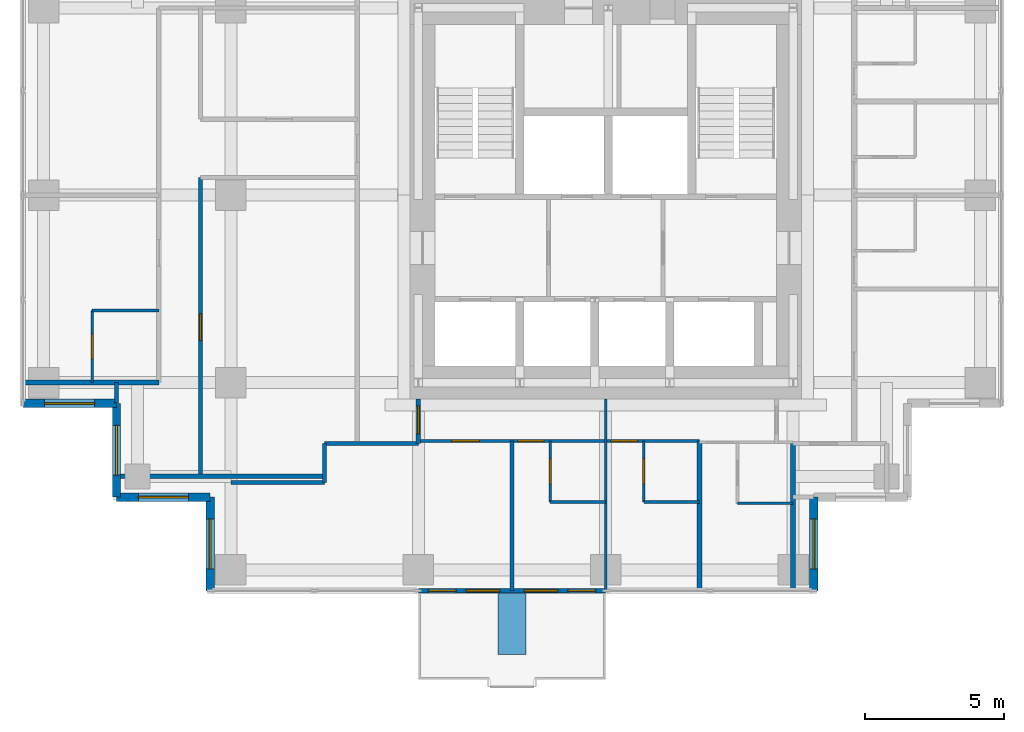
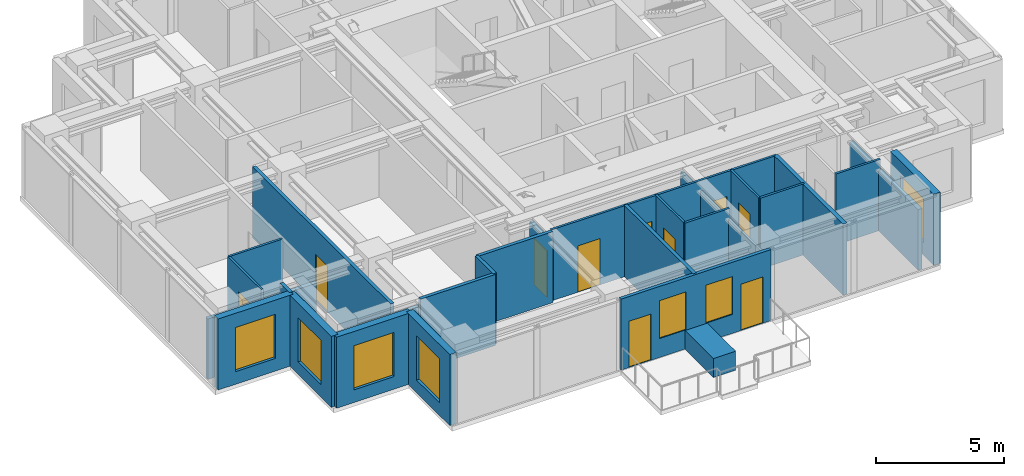
# One storey, part 3 of 8: 27 walls, 10 doors, 7 windows, 17 openings.
"""IFC4 building model written with IfcOpenShell, lengths in metres."""

from ifc_helpers import new_model, si_unit, direction, frame, frame_2d, origin, place, context, subcontext, project, spatial, rectangle, extrude, material, layer, layer_set, type_object, element, fill, save


model = new_model("IFC4")

# Units and contexts
model_context = context("Model", 3, precision=1e-05, world=origin(), true_north=direction((0.0, 1.0)))
body_context = subcontext(model_context, "Body", "Model", "MODEL_VIEW")
ifc_project = project(units=[si_unit("LENGTHUNIT", "METRE"), si_unit("AREAUNIT", "SQUARE_METRE"), si_unit("VOLUMEUNIT", "CUBIC_METRE"), si_unit("PLANEANGLEUNIT", "RADIAN"), si_unit("MASSUNIT", "GRAM", prefix="KILO")], contexts=[model_context])

# Site, building, storey
site_placement = place(None, origin())
site = spatial("IfcSite", under=ifc_project, at=site_placement, CompositionType="ELEMENT")
building_placement = place(site_placement, origin())
building = spatial("IfcBuilding", under=site, at=building_placement, Name="Nyansa Garden Tower", CompositionType="ELEMENT")
storey_placement = place(building_placement, frame((0.0, 0.0, 211.5)))
storey = spatial("IfcBuildingStorey", under=building, at=storey_placement, Name="L57", CompositionType="ELEMENT", Elevation=211.5)

# Walls
ifc_material_1 = material(Name="Dense blockwork, plastered both sides, 55 dB", Category="masonry")
ifc_layer_1 = layer(ifc_material_1, 0.175048828125)
ifc_layer_set_1 = layer_set([ifc_layer_1], Name="Acoustic party wall PW175")
wall_type_1 = type_object("IfcWallType", Name="Acoustic party wall PW175", PredefinedType="PARTITIONING", material=ifc_layer_set_1)
wall_1_placement = place(storey_placement, frame((-0.73388671875, 13.5, 0.0), z_axis=(0.0, 0.0, 1.0), x_axis=(1.0, 0.0, 0.0)))
element("IfcWall", 1, at=wall_1_placement, inside=storey, type_object=wall_type_1, Name="Party wall", PredefinedType="PARTITIONING", context=body_context, shape_type="SweptSolid", body=[
    extrude(rectangle(XDim=4.8837890625, YDim=0.175048828125, at=frame_2d((2.44189453125, 0.0))), origin(), (0.0, 0.0, 1.0), 2.876953125),
])
wall_2_placement = place(storey_placement, frame((23.625, 6.01611328125, 0.0), z_axis=(0.0, 0.0, 1.0), x_axis=(0.0, 1.0, 0.0)))
element("IfcWall", 2, at=wall_2_placement, inside=storey, type_object=wall_type_1, Name="Party wall", PredefinedType="PARTITIONING", context=body_context, shape_type="SweptSolid", body=[
    extrude(rectangle(XDim=5.3837890625, YDim=0.175048828125, at=frame_2d((2.69189453125, 0.0))), origin(), (0.0, 0.0, 1.0), 3.375),
])
wall_3_placement = place(storey_placement, frame((27.0, 6.01611328125, 0.0), z_axis=(0.0, 0.0, 1.0), x_axis=(0.0, 1.0, 0.0)))
element("IfcWall", 3, at=wall_3_placement, inside=storey, type_object=wall_type_1, Name="Party wall", PredefinedType="PARTITIONING", context=body_context, shape_type="SweptSolid", body=[
    extrude(rectangle(XDim=5.333984375, YDim=0.175048828125, at=frame_2d((2.6669921875, 0.0))), origin(), (0.0, 0.0, 1.0), 2.876953125),
])

# Wall, openings, doors, windows
ifc_material_2 = material(Name="Black aluminium framed glazed screen", Category="aluminium")
ifc_layer_2 = layer(ifc_material_2, 0.14990234375)
ifc_layer_set_2 = layer_set([ifc_layer_2], Name="Balcony screen wall BW150")
wall_type_2 = type_object("IfcWallType", Name="Balcony screen wall BW150", PredefinedType="SOLIDWALL", material=ifc_layer_set_2)
wall_4_placement = place(storey_placement, frame((20.25, 6.0, 0.0), z_axis=(0.0, 0.0, 1.0), x_axis=(-1.0, 0.0, 0.0)))
wall_4 = element("IfcWall", 4, at=wall_4_placement, inside=storey, type_object=wall_type_2, Name="Glazed screen wall L57 S", PredefinedType="SOLIDWALL", context=body_context, shape_type="SweptSolid", body=[
    extrude(rectangle(XDim=6.75, YDim=0.14990234375, at=frame_2d((3.375, 0.0))), origin(), (0.0, 0.0, 1.0), 3.375),
])
opening_1_placement = place(wall_4_placement, frame((0.362548828125, 0.0, 0.0)))
opening_1 = element("IfcOpeningElement", 5, at=opening_1_placement, cuts=wall_4, Name="Opening D20", PredefinedType="OPENING", context=body_context, shape_type="SweptSolid", body=[
    extrude(rectangle(XDim=1.0, YDim=2.199951171875, at=frame_2d((0.5, 1.10009765625))), frame((0.0, 0.0849609375, 0.0), z_axis=(0.0, -1.0, 0.0), x_axis=(1.0, 0.0, 0.0)), (0.0, 0.0, 1.0), 0.169921875),
])
opening_2_placement = place(wall_4_placement, frame((1.72509765625, 0.0, 0.89990234375)))
opening_2 = element("IfcOpeningElement", 6, at=opening_2_placement, cuts=wall_4, Name="Opening W6", PredefinedType="OPENING", context=body_context, shape_type="SweptSolid", body=[
    extrude(rectangle(XDim=1.199951171875, YDim=1.800048828125, at=frame_2d((0.60009765625, 0.89990234375))), frame((0.0, 0.0849609375, 0.0), z_axis=(0.0, -1.0, 0.0), x_axis=(1.0, 0.0, 0.0)), (0.0, 0.0, 1.0), 0.169921875),
])
opening_3_placement = place(wall_4_placement, frame((5.387451171875, 0.0, 0.0)))
opening_3 = element("IfcOpeningElement", 7, at=opening_3_placement, cuts=wall_4, Name="Opening D20", PredefinedType="OPENING", context=body_context, shape_type="SweptSolid", body=[
    extrude(rectangle(XDim=1.0, YDim=2.199951171875, at=frame_2d((0.5, 1.10009765625))), frame((0.0, 0.0849609375, 0.0), z_axis=(0.0, -1.0, 0.0), x_axis=(1.0, 0.0, 0.0)), (0.0, 0.0, 1.0), 0.169921875),
])
opening_4_placement = place(wall_4_placement, frame((3.824951171875, 0.0, 0.89990234375)))
opening_4 = element("IfcOpeningElement", 8, at=opening_4_placement, cuts=wall_4, Name="Opening W6", PredefinedType="OPENING", context=body_context, shape_type="SweptSolid", body=[
    extrude(rectangle(XDim=1.199951171875, YDim=1.800048828125, at=frame_2d((0.60009765625, 0.89990234375))), frame((0.0, 0.0849609375, 0.0), z_axis=(0.0, -1.0, 0.0), x_axis=(1.0, 0.0, 0.0)), (0.0, 0.0, 1.0), 0.169921875),
])
ifc_material_3 = material(Name="Black aluminium framed glazed door", Category="aluminium")
door_type_1 = type_object("IfcDoorType", Name="Balcony door D20 1000x2200", OperationType="NOTDEFINED", PredefinedType="DOOR", material=ifc_material_3)
door_1_placement = place(opening_1_placement, origin())
door_1 = element("IfcDoor", 9, at=door_1_placement, inside=storey, type_object=door_type_1, Name="Balcony door L57", OperationType="SINGLE_SWING_LEFT", OverallHeight=2.199951171875, OverallWidth=1.0, PredefinedType="DOOR", context=body_context, shape_type="SweptSolid", body=[
    extrude(rectangle(XDim=1.0, YDim=2.199951171875, at=frame_2d((0.5, 1.10009765625))), frame((0.0, 0.02490234375, 0.0), z_axis=(0.0, -1.0, 0.0), x_axis=(1.0, 0.0, 0.0)), (0.0, 0.0, 1.0), 0.050048828125),
])
fill(opening_1, door_1)
door_2_placement = place(opening_3_placement, origin())
door_2 = element("IfcDoor", 10, at=door_2_placement, inside=storey, type_object=door_type_1, Name="Balcony door L57", OperationType="SINGLE_SWING_RIGHT", OverallHeight=2.199951171875, OverallWidth=1.0, PredefinedType="DOOR", context=body_context, shape_type="SweptSolid", body=[
    extrude(rectangle(XDim=1.0, YDim=2.199951171875, at=frame_2d((0.5, 1.10009765625))), frame((0.0, 0.02490234375, 0.0), z_axis=(0.0, -1.0, 0.0), x_axis=(1.0, 0.0, 0.0)), (0.0, 0.0, 1.0), 0.050048828125),
])
fill(opening_3, door_2)
ifc_material_4 = material(Name="Black aluminium frame, dark tinted double glazing", Category="aluminium")
window_type_1 = type_object("IfcWindowType", Name="Balcony window W6 1200x1800", PartitioningType="SINGLE_PANEL", PredefinedType="WINDOW", material=ifc_material_4)
window_1_placement = place(opening_2_placement, origin())
window_1 = element("IfcWindow", 11, at=window_1_placement, inside=storey, type_object=window_type_1, Name="Window L57", OverallHeight=1.800048828125, OverallWidth=1.199951171875, PartitioningType="SINGLE_PANEL", PredefinedType="WINDOW", context=body_context, shape_type="SweptSolid", body=[
    extrude(rectangle(XDim=1.199951171875, YDim=1.800048828125, at=frame_2d((0.60009765625, 0.89990234375))), frame((0.0, 0.030029296875, 0.0), z_axis=(0.0, -1.0, 0.0), x_axis=(1.0, 0.0, 0.0)), (0.0, 0.0, 1.0), 0.06005859375),
])
fill(opening_2, window_1)
window_2_placement = place(opening_4_placement, origin())
window_2 = element("IfcWindow", 12, at=window_2_placement, inside=storey, type_object=window_type_1, Name="Window L57", OverallHeight=1.800048828125, OverallWidth=1.199951171875, PartitioningType="SINGLE_PANEL", PredefinedType="WINDOW", context=body_context, shape_type="SweptSolid", body=[
    extrude(rectangle(XDim=1.199951171875, YDim=1.800048828125, at=frame_2d((0.60009765625, 0.89990234375))), frame((0.0, 0.030029296875, 0.0), z_axis=(0.0, -1.0, 0.0), x_axis=(1.0, 0.0, 0.0)), (0.0, 0.0, 1.0), 0.06005859375),
])
fill(opening_4, window_2)

# Walls
ifc_material_5 = material(Name="Blockwork, plastered both sides", Category="masonry")
ifc_layer_3 = layer(ifc_material_5, 0.14990234375)
ifc_layer_set_3 = layer_set([ifc_layer_3], Name="Partition PW150")
wall_type_3 = type_object("IfcWallType", Name="Partition PW150", PredefinedType="PARTITIONING", material=ifc_layer_set_3)
wall_5_placement = place(storey_placement, frame((2.625, 12.76611328125, 0.0), z_axis=(0.0, 0.0, 1.0), x_axis=(0.0, 1.0, 0.0)))
element("IfcWall", 13, at=wall_5_placement, inside=storey, type_object=wall_type_3, Name="Partition", PredefinedType="PARTITIONING", context=body_context, shape_type="SweptSolid", body=[
    extrude(rectangle(XDim=0.73388671875, YDim=0.14990234375, at=frame_2d((0.366943359375, 0.0))), origin(), (0.0, 0.0, 1.0), 3.375),
])
wall_6_placement = place(storey_placement, frame((2.77490234375, 10.125, 0.0), z_axis=(0.0, 0.0, 1.0), x_axis=(1.0, 0.0, 0.0)))
element("IfcWall", 14, at=wall_6_placement, inside=storey, type_object=wall_type_3, Name="Partition", PredefinedType="PARTITIONING", context=body_context, shape_type="SweptSolid", body=[
    extrude(rectangle(XDim=7.35009765625, YDim=0.14990234375, at=frame_2d((3.675048828125, 0.0))), origin(), (0.0, 0.0, 1.0), 2.876953125),
])

# Wall, opening, door
wall_7_placement = place(storey_placement, frame((5.64990234375, 10.125, 0.0), z_axis=(0.0, 0.0, 1.0), x_axis=(0.0, 1.0, 0.0)))
wall_7 = element("IfcWall", 15, at=wall_7_placement, inside=storey, type_object=wall_type_3, Name="Partition", PredefinedType="PARTITIONING", context=body_context, shape_type="SweptSolid", body=[
    extrude(rectangle(XDim=10.762451171875, YDim=0.14990234375, at=frame_2d((5.38134765625, 0.0))), origin(), (0.0, 0.0, 1.0), 3.375),
])
opening_5_placement = place(wall_7_placement, frame((4.89990234375, 0.0, 0.0)))
opening_5 = element("IfcOpeningElement", 16, at=opening_5_placement, cuts=wall_7, Name="Opening D01", PredefinedType="OPENING", context=body_context, shape_type="SweptSolid", body=[
    extrude(rectangle(XDim=0.949951171875, YDim=2.199951171875, at=frame_2d((0.47509765625, 1.10009765625))), frame((0.0, 0.0849609375, 0.0), z_axis=(0.0, -1.0, 0.0), x_axis=(1.0, 0.0, 0.0)), (0.0, 0.0, 1.0), 0.169921875),
])
ifc_material_6 = material(Name="Timber flush door, 30 minute fire resisting", Category="wood")
door_type_2 = type_object("IfcDoorType", Name="Bedroom door D01 950x2200", OperationType="SINGLE_SWING_LEFT", PredefinedType="DOOR", material=ifc_material_6)
door_3_placement = place(opening_5_placement, origin())
door_3 = element("IfcDoor", 17, at=door_3_placement, inside=storey, type_object=door_type_2, Name="Door L57-051", OperationType="SINGLE_SWING_LEFT", OverallHeight=2.199951171875, OverallWidth=0.949951171875, PredefinedType="DOOR", context=body_context, shape_type="SweptSolid", body=[
    extrude(rectangle(XDim=0.949951171875, YDim=2.199951171875, at=frame_2d((0.47509765625, 1.10009765625))), frame((0.0, 0.02490234375, 0.0), z_axis=(0.0, -1.0, 0.0), x_axis=(1.0, 0.0, 0.0)), (0.0, 0.0, 1.0), 0.050048828125),
])
fill(opening_5, door_3)

# Walls
wall_8_placement = place(storey_placement, frame((6.75, 9.89990234375, 0.0), z_axis=(0.0, 0.0, 1.0), x_axis=(1.0, 0.0, 0.0)))
element("IfcWall", 18, at=wall_8_placement, inside=storey, type_object=wall_type_3, Name="Partition", PredefinedType="PARTITIONING", context=body_context, shape_type="SweptSolid", body=[
    extrude(rectangle(XDim=3.375, YDim=0.14990234375, at=frame_2d((1.6875, 0.0))), origin(), (0.0, 0.0, 1.0), 3.375),
])
wall_9_placement = place(storey_placement, frame((10.125, 9.89990234375, 0.0), z_axis=(0.0, 0.0, 1.0), x_axis=(0.0, 1.0, 0.0)))
element("IfcWall", 19, at=wall_9_placement, inside=storey, type_object=wall_type_3, Name="Partition", PredefinedType="PARTITIONING", context=body_context, shape_type="SweptSolid", body=[
    extrude(rectangle(XDim=1.400146484375, YDim=0.14990234375, at=frame_2d((0.7001953125, 0.0))), origin(), (0.0, 0.0, 1.0), 3.375),
])
wall_10_placement = place(storey_placement, frame((10.125, 11.300048828125, 0.0), z_axis=(0.0, 0.0, 1.0), x_axis=(1.0, 0.0, 0.0)))
element("IfcWall", 20, at=wall_10_placement, inside=storey, type_object=wall_type_3, Name="Partition", PredefinedType="PARTITIONING", context=body_context, shape_type="SweptSolid", body=[
    extrude(rectangle(XDim=3.375, YDim=0.14990234375, at=frame_2d((1.6875, 0.0))), origin(), (0.0, 0.0, 1.0), 3.375),
])

# Wall, opening, door
wall_11_placement = place(storey_placement, frame((13.5, 11.300048828125, 0.0), z_axis=(0.0, 0.0, 1.0), x_axis=(0.0, 1.0, 0.0)))
wall_11 = element("IfcWall", 21, at=wall_11_placement, inside=storey, type_object=wall_type_3, Name="Partition", PredefinedType="PARTITIONING", context=body_context, shape_type="SweptSolid", body=[
    extrude(rectangle(XDim=1.599853515625, YDim=0.14990234375, at=frame_2d((0.7998046875, 0.0))), origin(), (0.0, 0.0, 1.0), 2.876953125),
])
opening_6_placement = place(wall_11_placement, frame((0.35009765625, 0.0, 0.0)))
opening_6 = element("IfcOpeningElement", 22, at=opening_6_placement, cuts=wall_11, Name="Opening D03", PredefinedType="OPENING", context=body_context, shape_type="SweptSolid", body=[
    extrude(rectangle(XDim=1.0, YDim=2.199951171875, at=frame_2d((0.5, 1.10009765625))), frame((0.0, 0.0849609375, 0.0), z_axis=(0.0, -1.0, 0.0), x_axis=(1.0, 0.0, 0.0)), (0.0, 0.0, 1.0), 0.169921875),
])
ifc_material_7 = material(Name="Timber flush door, 60 minute fire resisting", Category="wood")
door_type_3 = type_object("IfcDoorType", Name="Cluster entrance door D03 1000x2200", OperationType="SINGLE_SWING_LEFT", PredefinedType="DOOR", material=ifc_material_7)
door_4_placement = place(opening_6_placement, origin())
door_4 = element("IfcDoor", 23, at=door_4_placement, inside=storey, type_object=door_type_3, Name="Door L57-019", OperationType="SINGLE_SWING_LEFT", OverallHeight=2.199951171875, OverallWidth=1.0, PredefinedType="DOOR", context=body_context, shape_type="SweptSolid", body=[
    extrude(rectangle(XDim=1.0, YDim=2.199951171875, at=frame_2d((0.5, 1.10009765625))), frame((0.0, 0.02490234375, 0.0), z_axis=(0.0, -1.0, 0.0), x_axis=(1.0, 0.0, 0.0)), (0.0, 0.0, 1.0), 0.050048828125),
])
fill(opening_6, door_4)

# Wall
wall_12_placement = place(storey_placement, frame((16.875, 6.01611328125, 0.0), z_axis=(0.0, 0.0, 1.0), x_axis=(0.0, 1.0, 0.0)))
element("IfcWall", 24, at=wall_12_placement, inside=storey, type_object=wall_type_3, Name="Partition", PredefinedType="PARTITIONING", context=body_context, shape_type="SweptSolid", body=[
    extrude(rectangle(XDim=5.3837890625, YDim=0.14990234375, at=frame_2d((2.69189453125, 0.0))), origin(), (0.0, 0.0, 1.0), 3.375),
])

# Wall, opening, window
ifc_material_8 = material(Name="Turquoise glazed tile on concrete blockwork", Category="masonry")
ifc_layer_4 = layer(ifc_material_8, 0.300048828125)
ifc_layer_set_4 = layer_set([ifc_layer_4], Name="Tiled corner wall TW300")
wall_type_4 = type_object("IfcWallType", Name="Tiled corner wall TW300", PredefinedType="SOLIDWALL", material=ifc_layer_set_4)
wall_13_placement = place(storey_placement, frame((-0.75, 12.75, 0.0), z_axis=(0.0, 0.0, 1.0), x_axis=(1.0, 0.0, 0.0)))
wall_13 = element("IfcWall", 25, at=wall_13_placement, inside=storey, type_object=wall_type_4, Name="Tiled corner wall L57", PredefinedType="SOLIDWALL", context=body_context, shape_type="SweptSolid", body=[
    extrude(rectangle(XDim=3.375, YDim=0.300048828125, at=frame_2d((1.6875, 0.0))), origin(), (0.0, 0.0, 1.0), 3.375),
])
opening_7_placement = place(wall_13_placement, frame((0.78759765625, 0.0, 0.60009765625)))
opening_7 = element("IfcOpeningElement", 26, at=opening_7_placement, cuts=wall_13, Name="Opening W2", PredefinedType="OPENING", context=body_context, shape_type="SweptSolid", body=[
    extrude(rectangle(XDim=1.800048828125, YDim=2.10009765625, at=frame_2d((0.89990234375, 1.050048828125))), frame((0.0, 0.159912109375, 0.0), z_axis=(0.0, -1.0, 0.0), x_axis=(1.0, 0.0, 0.0)), (0.0, 0.0, 1.0), 0.320068359375),
])
ifc_material_9 = material(Name="Black aluminium frame, dark tinted double glazing", Category="aluminium")
window_type_2 = type_object("IfcWindowType", Name="Window W2 1800x2100", PartitioningType="SINGLE_PANEL", PredefinedType="WINDOW", material=ifc_material_9)
window_3_placement = place(opening_7_placement, origin())
window_3 = element("IfcWindow", 27, at=window_3_placement, inside=storey, type_object=window_type_2, Name="Corner window L57", OverallHeight=2.10009765625, OverallWidth=1.800048828125, PartitioningType="SINGLE_PANEL", PredefinedType="WINDOW", context=body_context, shape_type="SweptSolid", body=[
    extrude(rectangle(XDim=1.800048828125, YDim=2.10009765625, at=frame_2d((0.89990234375, 1.050048828125))), frame((0.0, 0.030029296875, 0.0), z_axis=(0.0, -1.0, 0.0), x_axis=(1.0, 0.0, 0.0)), (0.0, 0.0, 1.0), 0.06005859375),
])
fill(opening_7, window_3)

wall_14_placement = place(storey_placement, frame((2.625, 12.75, 0.0), z_axis=(0.0, 0.0, 1.0), x_axis=(0.0, -1.0, 0.0)))
wall_14 = element("IfcWall", 28, at=wall_14_placement, inside=storey, type_object=wall_type_4, Name="Tiled corner wall L57", PredefinedType="SOLIDWALL", context=body_context, shape_type="SweptSolid", body=[
    extrude(rectangle(XDim=3.375, YDim=0.300048828125, at=frame_2d((1.6875, 0.0))), origin(), (0.0, 0.0, 1.0), 3.375),
])
opening_8_placement = place(wall_14_placement, frame((0.78759765625, 0.0, 0.60009765625)))
opening_8 = element("IfcOpeningElement", 29, at=opening_8_placement, cuts=wall_14, Name="Opening W2", PredefinedType="OPENING", context=body_context, shape_type="SweptSolid", body=[
    extrude(rectangle(XDim=1.800048828125, YDim=2.10009765625, at=frame_2d((0.89990234375, 1.050048828125))), frame((0.0, 0.159912109375, 0.0), z_axis=(0.0, -1.0, 0.0), x_axis=(1.0, 0.0, 0.0)), (0.0, 0.0, 1.0), 0.320068359375),
])
window_4_placement = place(opening_8_placement, origin())
window_4 = element("IfcWindow", 30, at=window_4_placement, inside=storey, type_object=window_type_2, Name="Corner window L57", OverallHeight=2.10009765625, OverallWidth=1.800048828125, PartitioningType="SINGLE_PANEL", PredefinedType="WINDOW", context=body_context, shape_type="SweptSolid", body=[
    extrude(rectangle(XDim=1.800048828125, YDim=2.10009765625, at=frame_2d((0.89990234375, 1.050048828125))), frame((0.0, 0.030029296875, 0.0), z_axis=(0.0, -1.0, 0.0), x_axis=(1.0, 0.0, 0.0)), (0.0, 0.0, 1.0), 0.06005859375),
])
fill(opening_8, window_4)

wall_15_placement = place(storey_placement, frame((2.625, 9.375, 0.0), z_axis=(0.0, 0.0, 1.0), x_axis=(1.0, 0.0, 0.0)))
wall_15 = element("IfcWall", 31, at=wall_15_placement, inside=storey, type_object=wall_type_4, Name="Tiled corner wall L57", PredefinedType="SOLIDWALL", context=body_context, shape_type="SweptSolid", body=[
    extrude(rectangle(XDim=3.375, YDim=0.300048828125, at=frame_2d((1.6875, 0.0))), origin(), (0.0, 0.0, 1.0), 3.375),
])
opening_9_placement = place(wall_15_placement, frame((0.78759765625, 0.0, 0.60009765625)))
opening_9 = element("IfcOpeningElement", 32, at=opening_9_placement, cuts=wall_15, Name="Opening W2", PredefinedType="OPENING", context=body_context, shape_type="SweptSolid", body=[
    extrude(rectangle(XDim=1.800048828125, YDim=2.10009765625, at=frame_2d((0.89990234375, 1.050048828125))), frame((0.0, 0.159912109375, 0.0), z_axis=(0.0, -1.0, 0.0), x_axis=(1.0, 0.0, 0.0)), (0.0, 0.0, 1.0), 0.320068359375),
])
window_5_placement = place(opening_9_placement, origin())
window_5 = element("IfcWindow", 33, at=window_5_placement, inside=storey, type_object=window_type_2, Name="Corner window L57", OverallHeight=2.10009765625, OverallWidth=1.800048828125, PartitioningType="SINGLE_PANEL", PredefinedType="WINDOW", context=body_context, shape_type="SweptSolid", body=[
    extrude(rectangle(XDim=1.800048828125, YDim=2.10009765625, at=frame_2d((0.89990234375, 1.050048828125))), frame((0.0, 0.030029296875, 0.0), z_axis=(0.0, -1.0, 0.0), x_axis=(1.0, 0.0, 0.0)), (0.0, 0.0, 1.0), 0.06005859375),
])
fill(opening_9, window_5)

wall_16_placement = place(storey_placement, frame((6.0, 9.375, 0.0), z_axis=(0.0, 0.0, 1.0), x_axis=(0.0, -1.0, 0.0)))
wall_16 = element("IfcWall", 34, at=wall_16_placement, inside=storey, type_object=wall_type_4, Name="Tiled corner wall L57", PredefinedType="SOLIDWALL", context=body_context, shape_type="SweptSolid", body=[
    extrude(rectangle(XDim=3.375, YDim=0.300048828125, at=frame_2d((1.6875, 0.0))), origin(), (0.0, 0.0, 1.0), 3.375),
])
opening_10_placement = place(wall_16_placement, frame((0.78759765625, 0.0, 0.60009765625)))
opening_10 = element("IfcOpeningElement", 35, at=opening_10_placement, cuts=wall_16, Name="Opening W2", PredefinedType="OPENING", context=body_context, shape_type="SweptSolid", body=[
    extrude(rectangle(XDim=1.800048828125, YDim=2.10009765625, at=frame_2d((0.89990234375, 1.050048828125))), frame((0.0, 0.159912109375, 0.0), z_axis=(0.0, -1.0, 0.0), x_axis=(1.0, 0.0, 0.0)), (0.0, 0.0, 1.0), 0.320068359375),
])
window_6_placement = place(opening_10_placement, origin())
window_6 = element("IfcWindow", 36, at=window_6_placement, inside=storey, type_object=window_type_2, Name="Corner window L57", OverallHeight=2.10009765625, OverallWidth=1.800048828125, PartitioningType="SINGLE_PANEL", PredefinedType="WINDOW", context=body_context, shape_type="SweptSolid", body=[
    extrude(rectangle(XDim=1.800048828125, YDim=2.10009765625, at=frame_2d((0.89990234375, 1.050048828125))), frame((0.0, 0.030029296875, 0.0), z_axis=(0.0, -1.0, 0.0), x_axis=(1.0, 0.0, 0.0)), (0.0, 0.0, 1.0), 0.06005859375),
])
fill(opening_10, window_6)

wall_17_placement = place(storey_placement, frame((27.75, 6.0, 0.0), z_axis=(0.0, 0.0, 1.0), x_axis=(0.0, 1.0, 0.0)))
wall_17 = element("IfcWall", 37, at=wall_17_placement, inside=storey, type_object=wall_type_4, Name="Tiled corner wall L57", PredefinedType="SOLIDWALL", context=body_context, shape_type="SweptSolid", body=[
    extrude(rectangle(XDim=3.375, YDim=0.300048828125, at=frame_2d((1.6875, 0.0))), origin(), (0.0, 0.0, 1.0), 3.375),
])
opening_11_placement = place(wall_17_placement, frame((0.78759765625, 0.0, 0.60009765625)))
opening_11 = element("IfcOpeningElement", 38, at=opening_11_placement, cuts=wall_17, Name="Opening W2", PredefinedType="OPENING", context=body_context, shape_type="SweptSolid", body=[
    extrude(rectangle(XDim=1.800048828125, YDim=2.10009765625, at=frame_2d((0.89990234375, 1.050048828125))), frame((0.0, 0.159912109375, 0.0), z_axis=(0.0, -1.0, 0.0), x_axis=(1.0, 0.0, 0.0)), (0.0, 0.0, 1.0), 0.320068359375),
])
window_7_placement = place(opening_11_placement, origin())
window_7 = element("IfcWindow", 39, at=window_7_placement, inside=storey, type_object=window_type_2, Name="Corner window L57", OverallHeight=2.10009765625, OverallWidth=1.800048828125, PartitioningType="SINGLE_PANEL", PredefinedType="WINDOW", context=body_context, shape_type="SweptSolid", body=[
    extrude(rectangle(XDim=1.800048828125, YDim=2.10009765625, at=frame_2d((0.89990234375, 1.050048828125))), frame((0.0, 0.030029296875, 0.0), z_axis=(0.0, -1.0, 0.0), x_axis=(1.0, 0.0, 0.0)), (0.0, 0.0, 1.0), 0.06005859375),
])
fill(opening_11, window_7)

# Wall
ifc_material_10 = material(Name="Concrete C40/50 planter, waterproofed", Category="concrete")
ifc_layer_5 = layer(ifc_material_10, 1.0)
ifc_layer_set_5 = layer_set([ifc_layer_5], Name="Tree planter TP1")
wall_type_5 = type_object("IfcWallType", Name="Tree planter TP1", PredefinedType="USERDEFINED", material=ifc_layer_set_5)
wall_18_placement = place(storey_placement, frame((16.875, 5.89990234375, 0.0), z_axis=(0.0, 0.0, 1.0), x_axis=(0.0, -1.0, 0.0)))
element("IfcWall", 40, at=wall_18_placement, inside=storey, type_object=wall_type_5, Name="Tree planter L57", ObjectType="TREE PLANTER", PredefinedType="USERDEFINED", context=body_context, shape_type="SweptSolid", body=[
    extrude(rectangle(XDim=2.199951171875, YDim=1.0, at=frame_2d((1.10009765625, 0.0))), origin(), (0.0, 0.0, 1.0), 0.89990234375),
])

# Wall, opening, door
ifc_material_11 = material(Name="Moisture resistant board on steel studs, tiled", Category="steel")
ifc_layer_6 = layer(ifc_material_11, 0.10009765625)
ifc_layer_set_6 = layer_set([ifc_layer_6], Name="Wet wall PW100")
wall_type_6 = type_object("IfcWallType", Name="Wet wall PW100", PredefinedType="PARTITIONING", material=ifc_layer_set_6)
wall_19_placement = place(storey_placement, frame((1.75, 13.5, 0.0), z_axis=(0.0, 0.0, 1.0), x_axis=(0.0, 1.0, 0.0)))
wall_19 = element("IfcWall", 41, at=wall_19_placement, inside=storey, type_object=wall_type_6, Name="Wet wall", PredefinedType="PARTITIONING", context=body_context, shape_type="SweptSolid", body=[
    extrude(rectangle(XDim=2.60009765625, YDim=0.10009765625, at=frame_2d((1.300048828125, 0.0))), origin(), (0.0, 0.0, 1.0), 3.375),
])
opening_12_placement = place(wall_19_placement, frame((0.85009765625, 0.0, 0.0)))
opening_12 = element("IfcOpeningElement", 42, at=opening_12_placement, cuts=wall_19, Name="Opening D02", PredefinedType="OPENING", context=body_context, shape_type="SweptSolid", body=[
    extrude(rectangle(XDim=0.89990234375, YDim=2.199951171875, at=frame_2d((0.449951171875, 1.10009765625))), frame((0.0, 0.06005859375, 0.0), z_axis=(0.0, -1.0, 0.0), x_axis=(1.0, 0.0, 0.0)), (0.0, 0.0, 1.0), 0.1201171875),
])
ifc_material_12 = material(Name="Timber flush door", Category="wood")
door_type_4 = type_object("IfcDoorType", Name="En-suite door D02 900x2200", OperationType="SINGLE_SWING_RIGHT", PredefinedType="DOOR", material=ifc_material_12)
door_5_placement = place(opening_12_placement, origin())
door_5 = element("IfcDoor", 43, at=door_5_placement, inside=storey, type_object=door_type_4, Name="Door L57-048", OperationType="SINGLE_SWING_RIGHT", OverallHeight=2.199951171875, OverallWidth=0.89990234375, PredefinedType="DOOR", context=body_context, shape_type="SweptSolid", body=[
    extrude(rectangle(XDim=0.89990234375, YDim=2.199951171875, at=frame_2d((0.449951171875, 1.10009765625))), frame((0.0, 0.02490234375, 0.0), z_axis=(0.0, -1.0, 0.0), x_axis=(1.0, 0.0, 0.0)), (0.0, 0.0, 1.0), 0.050048828125),
])
fill(opening_12, door_5)

# Wall
wall_20_placement = place(storey_placement, frame((1.75, 16.10009765625, 0.0), z_axis=(0.0, 0.0, 1.0), x_axis=(1.0, 0.0, 0.0)))
element("IfcWall", 44, at=wall_20_placement, inside=storey, type_object=wall_type_6, Name="Wet wall", PredefinedType="PARTITIONING", context=body_context, shape_type="SweptSolid", body=[
    extrude(rectangle(XDim=2.39990234375, YDim=0.10009765625, at=frame_2d((1.199951171875, 0.0))), origin(), (0.0, 0.0, 1.0), 3.375),
])

# Wall, openings, doors
wall_21_placement = place(storey_placement, frame((13.5, 11.39990234375, 0.0), z_axis=(0.0, 0.0, 1.0), x_axis=(1.0, 0.0, 0.0)))
wall_21 = element("IfcWall", 45, at=wall_21_placement, inside=storey, type_object=wall_type_6, Name="Wet wall", PredefinedType="PARTITIONING", context=body_context, shape_type="SweptSolid", body=[
    extrude(rectangle(XDim=10.125, YDim=0.10009765625, at=frame_2d((5.0625, 0.0))), origin(), (0.0, 0.0, 1.0), 3.375),
])
opening_13_placement = place(wall_21_placement, frame((1.199951171875, 0.0, 0.0)))
opening_13 = element("IfcOpeningElement", 46, at=opening_13_placement, cuts=wall_21, Name="Opening D03", PredefinedType="OPENING", context=body_context, shape_type="SweptSolid", body=[
    extrude(rectangle(XDim=1.0, YDim=2.199951171875, at=frame_2d((0.5, 1.10009765625))), frame((0.0, 0.06005859375, 0.0), z_axis=(0.0, -1.0, 0.0), x_axis=(1.0, 0.0, 0.0)), (0.0, 0.0, 1.0), 0.1201171875),
])
opening_14_placement = place(wall_21_placement, frame((3.574951171875, 0.0, 0.0)))
opening_14 = element("IfcOpeningElement", 47, at=opening_14_placement, cuts=wall_21, Name="Opening D01", PredefinedType="OPENING", context=body_context, shape_type="SweptSolid", body=[
    extrude(rectangle(XDim=0.949951171875, YDim=2.199951171875, at=frame_2d((0.47509765625, 1.10009765625))), frame((0.0, 0.06005859375, 0.0), z_axis=(0.0, -1.0, 0.0), x_axis=(1.0, 0.0, 0.0)), (0.0, 0.0, 1.0), 0.1201171875),
])
opening_15_placement = place(wall_21_placement, frame((6.949951171875, 0.0, 0.0)))
opening_15 = element("IfcOpeningElement", 48, at=opening_15_placement, cuts=wall_21, Name="Opening D14", PredefinedType="OPENING", context=body_context, shape_type="SweptSolid", body=[
    extrude(rectangle(XDim=0.949951171875, YDim=2.199951171875, at=frame_2d((0.47509765625, 1.10009765625))), frame((0.0, 0.06005859375, 0.0), z_axis=(0.0, -1.0, 0.0), x_axis=(1.0, 0.0, 0.0)), (0.0, 0.0, 1.0), 0.1201171875),
])
door_6_placement = place(opening_14_placement, origin())
door_6 = element("IfcDoor", 49, at=door_6_placement, inside=storey, type_object=door_type_2, Name="Door L57-017", OperationType="SINGLE_SWING_LEFT", OverallHeight=2.199951171875, OverallWidth=0.949951171875, PredefinedType="DOOR", context=body_context, shape_type="SweptSolid", body=[
    extrude(rectangle(XDim=0.949951171875, YDim=2.199951171875, at=frame_2d((0.47509765625, 1.10009765625))), frame((0.0, 0.02490234375, 0.0), z_axis=(0.0, -1.0, 0.0), x_axis=(1.0, 0.0, 0.0)), (0.0, 0.0, 1.0), 0.050048828125),
])
fill(opening_14, door_6)
door_7_placement = place(opening_13_placement, origin())
door_7 = element("IfcDoor", 50, at=door_7_placement, inside=storey, type_object=door_type_3, Name="Door L57-016", OperationType="SINGLE_SWING_LEFT", OverallHeight=2.199951171875, OverallWidth=1.0, PredefinedType="DOOR", context=body_context, shape_type="SweptSolid", body=[
    extrude(rectangle(XDim=1.0, YDim=2.199951171875, at=frame_2d((0.5, 1.10009765625))), frame((0.0, 0.02490234375, 0.0), z_axis=(0.0, -1.0, 0.0), x_axis=(1.0, 0.0, 0.0)), (0.0, 0.0, 1.0), 0.050048828125),
])
fill(opening_13, door_7)
ifc_material_13 = material(Name="Timber flush door, 60 minute fire resisting, self-closing", Category="wood")
door_type_5 = type_object("IfcDoorType", Name="Studio entrance door D14 950x2200", OperationType="SINGLE_SWING_LEFT", PredefinedType="DOOR", material=ifc_material_13)
door_8_placement = place(opening_15_placement, origin())
door_8 = element("IfcDoor", 51, at=door_8_placement, inside=storey, type_object=door_type_5, Name="Door L57-020", OperationType="SINGLE_SWING_LEFT", OverallHeight=2.199951171875, OverallWidth=0.949951171875, PredefinedType="DOOR", context=body_context, shape_type="SweptSolid", body=[
    extrude(rectangle(XDim=0.949951171875, YDim=2.199951171875, at=frame_2d((0.47509765625, 1.10009765625))), frame((0.0, 0.02490234375, 0.0), z_axis=(0.0, -1.0, 0.0), x_axis=(1.0, 0.0, 0.0)), (0.0, 0.0, 1.0), 0.050048828125),
])
fill(opening_15, door_8)

# Wall, opening, door
wall_22_placement = place(storey_placement, frame((18.25, 9.199951171875, 0.0), z_axis=(0.0, 0.0, 1.0), x_axis=(0.0, 1.0, 0.0)))
wall_22 = element("IfcWall", 52, at=wall_22_placement, inside=storey, type_object=wall_type_6, Name="Wet wall", PredefinedType="PARTITIONING", context=body_context, shape_type="SweptSolid", body=[
    extrude(rectangle(XDim=2.199951171875, YDim=0.10009765625, at=frame_2d((1.10009765625, 0.0))), origin(), (0.0, 0.0, 1.0), 3.375),
])
opening_16_placement = place(wall_22_placement, frame((0.64990234375, 0.0, 0.0)))
opening_16 = element("IfcOpeningElement", 53, at=opening_16_placement, cuts=wall_22, Name="Opening D02", PredefinedType="OPENING", context=body_context, shape_type="SweptSolid", body=[
    extrude(rectangle(XDim=0.89990234375, YDim=2.199951171875, at=frame_2d((0.449951171875, 1.10009765625))), frame((0.0, 0.06005859375, 0.0), z_axis=(0.0, -1.0, 0.0), x_axis=(1.0, 0.0, 0.0)), (0.0, 0.0, 1.0), 0.1201171875),
])
door_9_placement = place(opening_16_placement, origin())
door_9 = element("IfcDoor", 54, at=door_9_placement, inside=storey, type_object=door_type_4, Name="Door L57-018", OperationType="SINGLE_SWING_RIGHT", OverallHeight=2.199951171875, OverallWidth=0.89990234375, PredefinedType="DOOR", context=body_context, shape_type="SweptSolid", body=[
    extrude(rectangle(XDim=0.89990234375, YDim=2.199951171875, at=frame_2d((0.449951171875, 1.10009765625))), frame((0.0, 0.02490234375, 0.0), z_axis=(0.0, -1.0, 0.0), x_axis=(1.0, 0.0, 0.0)), (0.0, 0.0, 1.0), 0.050048828125),
])
fill(opening_16, door_9)

# Walls
wall_23_placement = place(storey_placement, frame((18.25, 9.199951171875, 0.0), z_axis=(0.0, 0.0, 1.0), x_axis=(1.0, 0.0, 0.0)))
element("IfcWall", 55, at=wall_23_placement, inside=storey, type_object=wall_type_6, Name="Wet wall", PredefinedType="PARTITIONING", context=body_context, shape_type="SweptSolid", body=[
    extrude(rectangle(XDim=2.0, YDim=0.10009765625, at=frame_2d((1.0, 0.0))), origin(), (0.0, 0.0, 1.0), 3.375),
])
wall_24_placement = place(storey_placement, frame((20.25, 6.01611328125, 0.0), z_axis=(0.0, 0.0, 1.0), x_axis=(0.0, 1.0, 0.0)))
element("IfcWall", 56, at=wall_24_placement, inside=storey, type_object=wall_type_6, Name="Wet wall", PredefinedType="PARTITIONING", context=body_context, shape_type="SweptSolid", body=[
    extrude(rectangle(XDim=6.8837890625, YDim=0.10009765625, at=frame_2d((3.44189453125, 0.0))), origin(), (0.0, 0.0, 1.0), 2.876953125),
])

# Wall, opening, door
wall_25_placement = place(storey_placement, frame((21.625, 9.199951171875, 0.0), z_axis=(0.0, 0.0, 1.0), x_axis=(0.0, 1.0, 0.0)))
wall_25 = element("IfcWall", 57, at=wall_25_placement, inside=storey, type_object=wall_type_6, Name="Wet wall", PredefinedType="PARTITIONING", context=body_context, shape_type="SweptSolid", body=[
    extrude(rectangle(XDim=2.199951171875, YDim=0.10009765625, at=frame_2d((1.10009765625, 0.0))), origin(), (0.0, 0.0, 1.0), 3.375),
])
opening_17_placement = place(wall_25_placement, frame((0.64990234375, 0.0, 0.0)))
opening_17 = element("IfcOpeningElement", 58, at=opening_17_placement, cuts=wall_25, Name="Opening D02", PredefinedType="OPENING", context=body_context, shape_type="SweptSolid", body=[
    extrude(rectangle(XDim=0.89990234375, YDim=2.199951171875, at=frame_2d((0.449951171875, 1.10009765625))), frame((0.0, 0.06005859375, 0.0), z_axis=(0.0, -1.0, 0.0), x_axis=(1.0, 0.0, 0.0)), (0.0, 0.0, 1.0), 0.1201171875),
])
door_10_placement = place(opening_17_placement, origin())
door_10 = element("IfcDoor", 59, at=door_10_placement, inside=storey, type_object=door_type_4, Name="Door L57-021", OperationType="SINGLE_SWING_RIGHT", OverallHeight=2.199951171875, OverallWidth=0.89990234375, PredefinedType="DOOR", context=body_context, shape_type="SweptSolid", body=[
    extrude(rectangle(XDim=0.89990234375, YDim=2.199951171875, at=frame_2d((0.449951171875, 1.10009765625))), frame((0.0, 0.02490234375, 0.0), z_axis=(0.0, -1.0, 0.0), x_axis=(1.0, 0.0, 0.0)), (0.0, 0.0, 1.0), 0.050048828125),
])
fill(opening_17, door_10)

# Walls
for number, where, z_axis, x_axis, name in (
    (60, (21.625, 9.199951171875, 0.0), (0.0, 0.0, 1.0), (1.0, 0.0, 0.0), "Wet wall"),
    (61, (25.0, 9.14990234375, 0.0), (0.0, 0.0, 1.0), (1.0, 0.0, 0.0), "Wet wall"),
):
    element("IfcWall", number, at=place(storey_placement, frame(where, z_axis=z_axis, x_axis=x_axis)), inside=storey, type_object=wall_type_6, Name=name, PredefinedType="PARTITIONING", context=body_context, shape_type="SweptSolid", body=[
        extrude(rectangle(XDim=2.0, YDim=0.10009765625, at=frame_2d((1.0, 0.0))), origin(), (0.0, 0.0, 1.0), 3.375),
    ])

save(model, "model.ifc")
